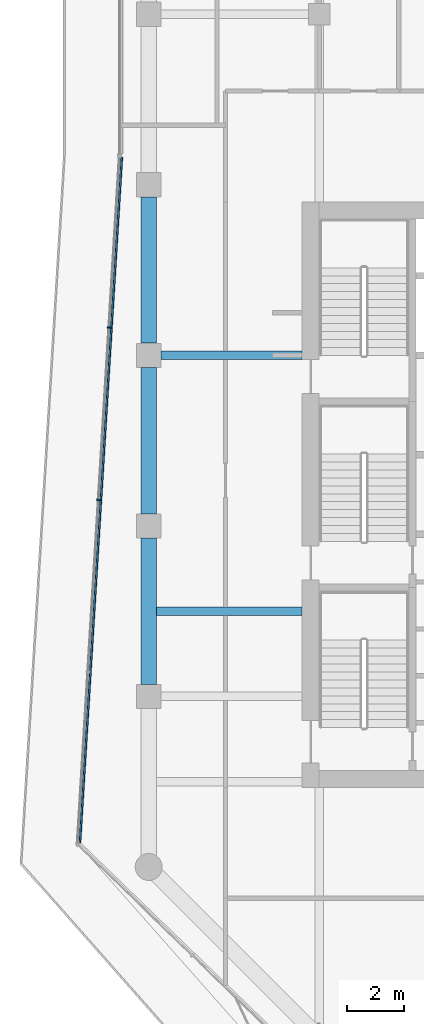
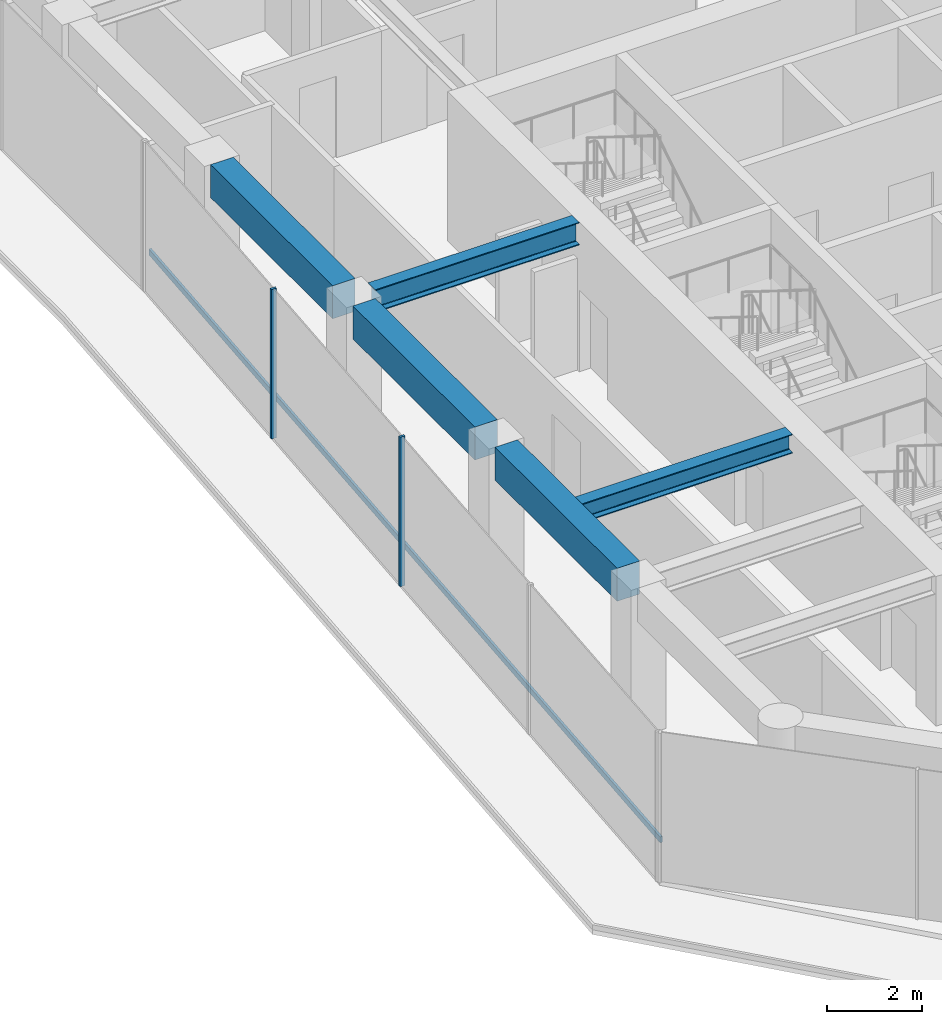
# One storey, part 5 of 22: 5 beams, 3 members, 1 element without a shape of its own.
"""IFC4 building model written with IfcOpenShell, lengths in metres."""

from ifc_helpers import new_model, si_unit, direction, frame, origin, origin_2d, place, context, subcontext, project, spatial, rectangle, i_section, extrude, material, layer, layer_set, material_profile, profile_set, type_object, element, aggregate, save


model = new_model("IFC4")

# Units and contexts
model_context = context("Model", 3, precision=1e-05, world=origin(), true_north=direction((0.0, 1.0)))
body_context = subcontext(model_context, "Body", "Model", "MODEL_VIEW")
ifc_project = project(units=[si_unit("LENGTHUNIT", "METRE"), si_unit("AREAUNIT", "SQUARE_METRE"), si_unit("VOLUMEUNIT", "CUBIC_METRE"), si_unit("PLANEANGLEUNIT", "RADIAN"), si_unit("MASSUNIT", "GRAM", prefix="KILO")], contexts=[model_context])

# Site, building, storey
site_placement = place(None, origin())
site = spatial("IfcSite", under=ifc_project, at=site_placement, CompositionType="ELEMENT")
building_placement = place(site_placement, origin())
building = spatial("IfcBuilding", under=site, at=building_placement, Name="Welwitschia Terrace Campus", CompositionType="ELEMENT")
storey_placement = place(building_placement, frame((0.0, 0.0, 155.0)))
storey = spatial("IfcBuildingStorey", under=building, at=storey_placement, Name="L34", CompositionType="ELEMENT", Elevation=155.0)

# Beam
ifc_material_1 = material(Name="Steel S355", Category="steel")
ifc_material_profile_1 = material_profile(ifc_material_1, i_section(OverallWidth=0.300048828125, OverallDepth=0.489990234375, WebThickness=0.011962890625, FlangeThickness=0.02294921875, FilletRadius=0.027099609375, at=origin_2d()))
ifc_profile_set_1 = profile_set([ifc_material_profile_1], Name="Steel S355")
beam_type_1 = type_object("IfcBeamType", Name="Interior girder HE 500 A", PredefinedType="BEAM", material=ifc_profile_set_1)
beam_1_placement = place(storey_placement, frame((-0.010009765625, 11.0, 3.60498046875), z_axis=(1.0, 0.0, 0.0), x_axis=(0.0, 1.0, 0.0)))
element("IfcBeam", 1, at=beam_1_placement, inside=storey, type_object=beam_type_1, Name="Girder GB4", PredefinedType="BEAM", context=body_context, shape_type="SweptSolid", body=[
    extrude(i_section(OverallWidth=0.300048828125, OverallDepth=0.489990234375, WebThickness=0.011962890625, FlangeThickness=0.02294921875, FilletRadius=0.027099609375, at=origin_2d()), origin(), (0.0, 0.0, 1.0), 5.408935546875),
])

# Curtain wall, members
ifc_material_2 = material(Name="Bronze anodised aluminium", Category="aluminium")
ifc_layer = layer(ifc_material_2, 0.1201171875)
ifc_layer_set = layer_set([ifc_layer], Name="Bronze anodised aluminium")
curtain_wall_type = type_object("IfcCurtainWallType", Name="Curtain wall CW2 tower 6000", PredefinedType="NOTDEFINED", material=ifc_layer_set)
curtain_wall_placement = place(storey_placement, origin())
curtain_wall = element("IfcCurtainWall", 2, at=curtain_wall_placement, inside=storey, type_object=curtain_wall_type, Name="CW L34.0.0", PredefinedType="NOTDEFINED")
ifc_material_3 = material(Name="Bronze anodised aluminium", Category="aluminium")
ifc_material_profile_2 = material_profile(ifc_material_3, rectangle(XDim=0.1201171875, YDim=0.06005859375, at=origin_2d()))
ifc_profile_set_2 = profile_set([ifc_material_profile_2], Name="Bronze anodised aluminium")
member_type_1 = type_object("IfcMemberType", Name="Mullion 60x120", PredefinedType="MULLION", material=ifc_profile_set_2)
member_1_placement = place(storey_placement, frame((-1.400634765625, 20.9765625, 0.0), z_axis=(0.0, 0.0, 1.0), x_axis=(0.998134798422, -0.061048539535, 0.0)))
member_1 = element("IfcMember", 3, at=member_1_placement, type_object=member_type_1, Name="Mullion L34.0.0.1", PredefinedType="MULLION", context=body_context, shape_type="SweptSolid", body=[
    extrude(rectangle(XDim=0.1201171875, YDim=0.06005859375, at=origin_2d()), origin(), (0.0, 0.0, 1.0), 3.85009765625),
])
member_2_placement = place(storey_placement, frame((-1.771484375, 14.915771484375, 0.0), z_axis=(0.0, 0.0, 1.0), x_axis=(0.998134798422, -0.061048539535, 0.0)))
member_2 = element("IfcMember", 4, at=member_2_placement, type_object=member_type_1, Name="Mullion L34.0.0.2", PredefinedType="MULLION", context=body_context, shape_type="SweptSolid", body=[
    extrude(rectangle(XDim=0.1201171875, YDim=0.06005859375, at=origin_2d()), origin(), (0.0, 0.0, 1.0), 3.85009765625),
])

# Beams
ifc_material_4 = material(Name="Steel S355", Category="steel")
ifc_material_profile_3 = material_profile(ifc_material_4, i_section(OverallWidth=0.300048828125, OverallDepth=0.590087890625, WebThickness=0.012939453125, FlangeThickness=0.02490234375, FilletRadius=0.027099609375, at=origin_2d()))
ifc_profile_set_3 = profile_set([ifc_material_profile_3], Name="Steel S355")
beam_type_2 = type_object("IfcBeamType", Name="Primary beam HE 600 A", PredefinedType="BEAM", material=ifc_profile_set_3)
beam_2_placement = place(storey_placement, frame((0.425537109375, 20.0, 3.554931640625), z_axis=(1.0, 0.0, 0.0), x_axis=(0.0, 1.0, 0.0)))
element("IfcBeam", 5, at=beam_2_placement, inside=storey, type_object=beam_type_2, Name="Primary beam PB4", PredefinedType="BEAM", context=body_context, shape_type="SweptSolid", body=[
    extrude(i_section(OverallWidth=0.300048828125, OverallDepth=0.590087890625, WebThickness=0.012939453125, FlangeThickness=0.02490234375, FilletRadius=0.027099609375, at=origin_2d()), origin(), (0.0, 0.0, 1.0), 4.974365234375),
])
ifc_material_5 = material(Name="Concrete C50/60", Category="concrete")
ifc_material_profile_4 = material_profile(ifc_material_5, rectangle(XDim=0.550048828125, YDim=0.85009765625, at=origin_2d()))
ifc_profile_set_4 = profile_set([ifc_material_profile_4], Name="Concrete C50/60")
beam_type_3 = type_object("IfcBeamType", Name="Ring spandrel 550x850", PredefinedType="SPANDREL", material=ifc_profile_set_4)
for number, where, z_axis, x_axis, name in (
    (6, (0.0, 25.574462890625, 3.425048828125), (0.0, -1.0, 0.0), (1.0, 0.0, 0.0), "Spandrel SP3"),
    (7, (0.0, 19.574462890625, 3.425048828125), (0.0, -1.0, 0.0), (1.0, 0.0, 0.0), "Spandrel SP3"),
    (8, (0.0, 13.574462890625, 3.425048828125), (0.0, -1.0, 0.0), (1.0, 0.0, 0.0), "Spandrel SP3"),
):
    element("IfcBeam", number, at=place(storey_placement, frame(where, z_axis=z_axis, x_axis=x_axis)), inside=storey, type_object=beam_type_3, Name=name, PredefinedType="SPANDREL", context=body_context, shape_type="SweptSolid", body=[
        extrude(rectangle(XDim=0.550048828125, YDim=0.85009765625, at=origin_2d()), origin(), (0.0, 0.0, 1.0), 5.14892578125),
    ])

# Member
ifc_material_6 = material(Name="Bronze anodised aluminium", Category="aluminium")
ifc_material_profile_5 = material_profile(ifc_material_6, rectangle(XDim=0.06005859375, YDim=0.14990234375, at=origin_2d()))
ifc_profile_set_5 = profile_set([ifc_material_profile_5], Name="Bronze anodised aluminium")
member_type_2 = type_object("IfcMemberType", Name="Transom 60x150", PredefinedType="USERDEFINED", material=ifc_profile_set_5)
member_3_placement = place(storey_placement, frame((-0.94384765625, 26.9716796875, 1.0), z_axis=(-0.061045570498, -0.998134980011, 0.0), x_axis=(0.998134980011, -0.061045570498, 0.0)))
member_3 = element("IfcMember", 9, at=member_3_placement, type_object=member_type_2, Name="Transom L34.0.0", ObjectType="TRANSOM", PredefinedType="USERDEFINED", context=body_context, shape_type="SweptSolid", body=[
    extrude(rectangle(XDim=0.06005859375, YDim=0.14990234375, at=origin_2d()), origin(), (0.0, 0.0, 1.0), 24.16796875),
])

aggregate(curtain_wall, [member_1, member_2, member_3])

save(model, "model.ifc")
